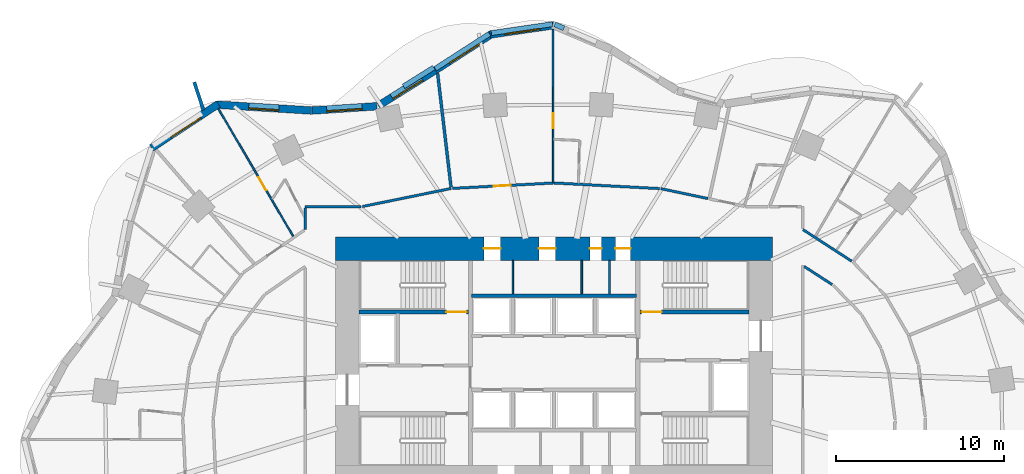
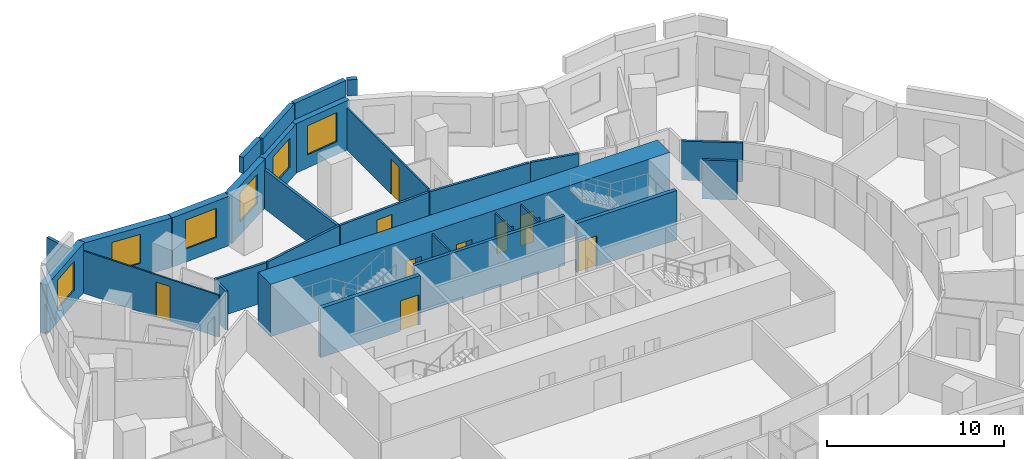
# One storey, part 8 of 11: 29 walls, 9 doors, 6 windows, 15 openings.
"""IFC4 building model written with IfcOpenShell, lengths in metres."""

from ifc_helpers import new_model, si_unit, direction, frame, frame_2d, origin, place, context, subcontext, project, spatial, rectangle, extrude, material, layer, layer_set, type_object, element, fill, save


model = new_model("IFC4")

# Units and contexts
model_context = context("Model", 3, precision=1e-05, world=origin(), true_north=direction((0.0, 1.0)))
body_context = subcontext(model_context, "Body", "Model", "MODEL_VIEW")
ifc_project = project(units=[si_unit("LENGTHUNIT", "METRE"), si_unit("AREAUNIT", "SQUARE_METRE"), si_unit("VOLUMEUNIT", "CUBIC_METRE"), si_unit("PLANEANGLEUNIT", "RADIAN"), si_unit("MASSUNIT", "GRAM", prefix="KILO")], contexts=[model_context])

# Site, building, storey
site_placement = place(None, origin())
site = spatial("IfcSite", under=ifc_project, at=site_placement, CompositionType="ELEMENT")
building_placement = place(site_placement, origin())
building = spatial("IfcBuilding", under=site, at=building_placement, Name="Rubra Terraces Tower", CompositionType="ELEMENT")
storey_placement = place(building_placement, frame((0.0, 0.0, 59.10009765625)))
storey = spatial("IfcBuildingStorey", under=building, at=storey_placement, Name="L12", CompositionType="ELEMENT", Elevation=59.10009765625)

# Wall
ifc_material_1 = material(Name="Twin plasterboard on staggered steel stud, acoustic mineral wool", Category="steel")
ifc_layer_1 = layer(ifc_material_1, 0.175048828125)
ifc_layer_set_1 = layer_set([ifc_layer_1], Name="Twin plasterboard on staggered steel stud, acoustic mineral wool")
wall_type_1 = type_object("IfcWallType", Name="ACOUSTIC PARTY WALL 175", PredefinedType="PARTITIONING", material=ifc_layer_set_1)
wall_1_placement = place(storey_placement, frame((-6.922607421875, 21.71826171875, 0.0), z_axis=(0.0, 0.0, 1.0), x_axis=(0.117163366321, -0.993112655036, 0.0)))
element("IfcWall", 1, at=wall_1_placement, inside=storey, type_object=wall_type_1, Name="PARTITION", PredefinedType="PARTITIONING", context=body_context, shape_type="SweptSolid", body=[
    extrude(rectangle(XDim=6.81591796875, YDim=0.175048828125, at=frame_2d((3.407958984375, 0.0))), origin(), (0.0, 0.0, 1.0), 2.679931640625),
])

# Wall, opening, window
ifc_material_2 = material(Name="Brick masonry red-brown", Category="masonry")
ifc_layer_2 = layer(ifc_material_2, 0.449951171875)
ifc_layer_set_2 = layer_set([ifc_layer_2], Name="Brick masonry red-brown")
wall_type_2 = type_object("IfcWallType", Name="Brick facade wall 450", PredefinedType="SOLIDWALL", material=ifc_layer_set_2)
wall_2_placement = place(storey_placement, frame((0.032470703125, 24.58447265625, 0.0), z_axis=(0.0, 0.0, 1.0), x_axis=(-0.989495330387, -0.144564833698, 0.0)))
wall_2 = element("IfcWall", 2, at=wall_2_placement, inside=storey, type_object=wall_type_2, Name="Facade wall L12 bay 11", PredefinedType="SOLIDWALL", context=body_context, shape_type="SweptSolid", body=[
    extrude(rectangle(XDim=3.880859375, YDim=0.449951171875, at=frame_2d((1.9404296875, 0.0))), origin(), (0.0, 0.0, 1.0), 3.39990234375),
])
opening_1_placement = place(wall_2_placement, frame((0.890380859375, 0.0, 0.89990234375)))
opening_1 = element("IfcOpeningElement", 3, at=opening_1_placement, cuts=wall_2, Name="Opening W1", PredefinedType="OPENING", context=body_context, shape_type="SweptSolid", body=[
    extrude(rectangle(XDim=2.10009765625, YDim=2.0, at=frame_2d((1.050048828125, 1.0))), frame((0.0, 0.23486328125, 0.0), z_axis=(0.0, -1.0, 0.0), x_axis=(1.0, 0.0, 0.0)), (0.0, 0.0, 1.0), 0.469970703125),
])
ifc_material_3 = material(Name="Clear glass in aluminium frame", Category="aluminium")
window_type_1 = type_object("IfcWindowType", Name="Fixed deep-set window 2100 x 2000", PartitioningType="SINGLE_PANEL", PredefinedType="WINDOW", material=ifc_material_3)
window_1_placement = place(opening_1_placement, origin())
window_1 = element("IfcWindow", 4, at=window_1_placement, inside=storey, type_object=window_type_1, Name="Window L12 bay 11", OverallHeight=2.0, OverallWidth=2.10009765625, PartitioningType="SINGLE_PANEL", PredefinedType="WINDOW", context=body_context, shape_type="SweptSolid", body=[
    extrude(rectangle(XDim=2.10009765625, YDim=2.0, at=frame_2d((1.050048828125, 1.0))), frame((0.0, 0.135009765625, 0.0), z_axis=(0.0, -1.0, 0.0), x_axis=(1.0, 0.0, 0.0)), (0.0, 0.0, 1.0), 0.06005859375),
])
fill(opening_1, window_1)

wall_3_placement = place(storey_placement, frame((-3.720703125, 24.055419921875, 0.0), z_axis=(0.0, 0.0, 1.0), x_axis=(-0.840404438766, -0.54195975801, 0.0)))
wall_3 = element("IfcWall", 5, at=wall_3_placement, inside=storey, type_object=wall_type_2, Name="Facade wall L12 bay 12", PredefinedType="SOLIDWALL", context=body_context, shape_type="SweptSolid", body=[
    extrude(rectangle(XDim=3.960205078125, YDim=0.449951171875, at=frame_2d((1.97998046875, 0.0))), origin(), (0.0, 0.0, 1.0), 3.39990234375),
])
opening_2_placement = place(wall_3_placement, frame((0.929931640625, 0.0, 0.89990234375)))
opening_2 = element("IfcOpeningElement", 6, at=opening_2_placement, cuts=wall_3, Name="Opening W1", PredefinedType="OPENING", context=body_context, shape_type="SweptSolid", body=[
    extrude(rectangle(XDim=2.10009765625, YDim=2.0, at=frame_2d((1.050048828125, 1.0))), frame((0.0, 0.23486328125, 0.0), z_axis=(0.0, -1.0, 0.0), x_axis=(1.0, 0.0, 0.0)), (0.0, 0.0, 1.0), 0.469970703125),
])
window_2_placement = place(opening_2_placement, origin())
window_2 = element("IfcWindow", 7, at=window_2_placement, inside=storey, type_object=window_type_1, Name="Window L12 bay 12", OverallHeight=2.0, OverallWidth=2.10009765625, PartitioningType="SINGLE_PANEL", PredefinedType="WINDOW", context=body_context, shape_type="SweptSolid", body=[
    extrude(rectangle(XDim=2.10009765625, YDim=2.0, at=frame_2d((1.050048828125, 1.0))), frame((0.0, 0.135009765625, 0.0), z_axis=(0.0, -1.0, 0.0), x_axis=(1.0, 0.0, 0.0)), (0.0, 0.0, 1.0), 0.06005859375),
])
fill(opening_2, window_2)

wall_4_placement = place(storey_placement, frame((-7.0517578125, 21.907470703125, 0.0), z_axis=(0.0, 0.0, 1.0), x_axis=(-0.848498976054, -0.529197021566, 0.0)))
wall_4 = element("IfcWall", 8, at=wall_4_placement, inside=storey, type_object=wall_type_2, Name="Facade wall L12 bay 13", PredefinedType="SOLIDWALL", context=body_context, shape_type="SweptSolid", body=[
    extrude(rectangle(XDim=3.99658203125, YDim=0.449951171875, at=frame_2d((1.998291015625, 0.0))), origin(), (0.0, 0.0, 1.0), 3.39990234375),
])
opening_3_placement = place(wall_4_placement, frame((0.9482421875, 0.0, 0.89990234375)))
opening_3 = element("IfcOpeningElement", 9, at=opening_3_placement, cuts=wall_4, Name="Opening W1", PredefinedType="OPENING", context=body_context, shape_type="SweptSolid", body=[
    extrude(rectangle(XDim=2.10009765625, YDim=2.0, at=frame_2d((1.050048828125, 1.0))), frame((0.0, 0.23486328125, 0.0), z_axis=(0.0, -1.0, 0.0), x_axis=(1.0, 0.0, 0.0)), (0.0, 0.0, 1.0), 0.469970703125),
])
window_3_placement = place(opening_3_placement, origin())
window_3 = element("IfcWindow", 10, at=window_3_placement, inside=storey, type_object=window_type_1, Name="Window L12 bay 13", OverallHeight=2.0, OverallWidth=2.10009765625, PartitioningType="SINGLE_PANEL", PredefinedType="WINDOW", context=body_context, shape_type="SweptSolid", body=[
    extrude(rectangle(XDim=2.10009765625, YDim=2.0, at=frame_2d((1.050048828125, 1.0))), frame((0.0, 0.135009765625, 0.0), z_axis=(0.0, -1.0, 0.0), x_axis=(1.0, 0.0, 0.0)), (0.0, 0.0, 1.0), 0.06005859375),
])
fill(opening_3, window_3)

wall_5_placement = place(storey_placement, frame((-10.537353515625, 19.76123046875, 0.0), z_axis=(0.0, 0.0, 1.0), x_axis=(-0.997831357874, -0.065822346084, 0.0)))
wall_5 = element("IfcWall", 11, at=wall_5_placement, inside=storey, type_object=wall_type_2, Name="Facade wall L12 bay 14", PredefinedType="SOLIDWALL", context=body_context, shape_type="SweptSolid", body=[
    extrude(rectangle(XDim=3.861083984375, YDim=0.449951171875, at=frame_2d((1.9306640625, 0.0))), origin(), (0.0, 0.0, 1.0), 3.39990234375),
])
opening_4_placement = place(wall_5_placement, frame((0.880615234375, 0.0, 0.89990234375)))
opening_4 = element("IfcOpeningElement", 12, at=opening_4_placement, cuts=wall_5, Name="Opening W1", PredefinedType="OPENING", context=body_context, shape_type="SweptSolid", body=[
    extrude(rectangle(XDim=2.10009765625, YDim=2.0, at=frame_2d((1.050048828125, 1.0))), frame((0.0, 0.23486328125, 0.0), z_axis=(0.0, -1.0, 0.0), x_axis=(1.0, 0.0, 0.0)), (0.0, 0.0, 1.0), 0.469970703125),
])
window_4_placement = place(opening_4_placement, origin())
window_4 = element("IfcWindow", 13, at=window_4_placement, inside=storey, type_object=window_type_1, Name="Window L12 bay 14", OverallHeight=2.0, OverallWidth=2.10009765625, PartitioningType="SINGLE_PANEL", PredefinedType="WINDOW", context=body_context, shape_type="SweptSolid", body=[
    extrude(rectangle(XDim=2.10009765625, YDim=2.0, at=frame_2d((1.050048828125, 1.0))), frame((0.0, 0.135009765625, 0.0), z_axis=(0.0, -1.0, 0.0), x_axis=(1.0, 0.0, 0.0)), (0.0, 0.0, 1.0), 0.06005859375),
])
fill(opening_4, window_4)

wall_6_placement = place(storey_placement, frame((-14.421142578125, 19.506103515625, 0.0), z_axis=(0.0, 0.0, 1.0), x_axis=(-0.998078573447, 0.06196096534, 0.0)))
wall_6 = element("IfcWall", 14, at=wall_6_placement, inside=storey, type_object=wall_type_2, Name="Facade wall L12 bay 15", PredefinedType="SOLIDWALL", context=body_context, shape_type="SweptSolid", body=[
    extrude(rectangle(XDim=5.681884765625, YDim=0.449951171875, at=frame_2d((2.8408203125, 0.0))), origin(), (0.0, 0.0, 1.0), 3.39990234375),
])
opening_5_placement = place(wall_6_placement, frame((1.94091796875, 0.0, 0.89990234375)))
opening_5 = element("IfcOpeningElement", 15, at=opening_5_placement, cuts=wall_6, Name="Opening W6", PredefinedType="OPENING", context=body_context, shape_type="SweptSolid", body=[
    extrude(rectangle(XDim=1.800048828125, YDim=2.0, at=frame_2d((0.89990234375, 1.0))), frame((0.0, 0.23486328125, 0.0), z_axis=(0.0, -1.0, 0.0), x_axis=(1.0, 0.0, 0.0)), (0.0, 0.0, 1.0), 0.469970703125),
])
window_type_2 = type_object("IfcWindowType", Name="Fixed deep-set window at wind fin 1800 x 2000", PartitioningType="SINGLE_PANEL", PredefinedType="WINDOW", material=ifc_material_3)
window_5_placement = place(opening_5_placement, origin())
window_5 = element("IfcWindow", 16, at=window_5_placement, inside=storey, type_object=window_type_2, Name="Window L12 bay 15", OverallHeight=2.0, OverallWidth=1.800048828125, PartitioningType="SINGLE_PANEL", PredefinedType="WINDOW", context=body_context, shape_type="SweptSolid", body=[
    extrude(rectangle(XDim=1.800048828125, YDim=2.0, at=frame_2d((0.89990234375, 1.0))), frame((0.0, 0.135009765625, 0.0), z_axis=(0.0, -1.0, 0.0), x_axis=(1.0, 0.0, 0.0)), (0.0, 0.0, 1.0), 0.06005859375),
])
fill(opening_5, window_5)

wall_7_placement = place(storey_placement, frame((-19.959228515625, 19.89501953125, 0.0), z_axis=(0.0, 0.0, 1.0), x_axis=(-0.835201398752, -0.549944200372, 0.0)))
wall_7 = element("IfcWall", 17, at=wall_7_placement, inside=storey, type_object=wall_type_2, Name="Facade wall L12 bay 16", PredefinedType="SOLIDWALL", context=body_context, shape_type="SweptSolid", body=[
    extrude(rectangle(XDim=4.74755859375, YDim=0.449951171875, at=frame_2d((2.373779296875, 0.0))), origin(), (0.0, 0.0, 1.0), 3.39990234375),
])
opening_6_placement = place(wall_7_placement, frame((1.32373046875, 0.0, 0.89990234375)))
opening_6 = element("IfcOpeningElement", 18, at=opening_6_placement, cuts=wall_7, Name="Opening W1", PredefinedType="OPENING", context=body_context, shape_type="SweptSolid", body=[
    extrude(rectangle(XDim=2.10009765625, YDim=2.0, at=frame_2d((1.050048828125, 1.0))), frame((0.0, 0.23486328125, 0.0), z_axis=(0.0, -1.0, 0.0), x_axis=(1.0, 0.0, 0.0)), (0.0, 0.0, 1.0), 0.469970703125),
])
window_6_placement = place(opening_6_placement, origin())
window_6 = element("IfcWindow", 19, at=window_6_placement, inside=storey, type_object=window_type_1, Name="Window L12 bay 16", OverallHeight=2.0, OverallWidth=2.10009765625, PartitioningType="SINGLE_PANEL", PredefinedType="WINDOW", context=body_context, shape_type="SweptSolid", body=[
    extrude(rectangle(XDim=2.10009765625, YDim=2.0, at=frame_2d((1.050048828125, 1.0))), frame((0.0, 0.135009765625, 0.0), z_axis=(0.0, -1.0, 0.0), x_axis=(1.0, 0.0, 0.0)), (0.0, 0.0, 1.0), 0.06005859375),
])
fill(opening_6, window_6)

# Walls
ifc_layer_3 = layer(ifc_material_2, 0.300048828125)
ifc_layer_set_3 = layer_set([ifc_layer_3], Name="Brick masonry red-brown")
wall_type_3 = type_object("IfcWallType", Name="Brick parapet 300", PredefinedType="PARAPET", material=ifc_layer_set_3)
wall_8_placement = place(storey_placement, frame((0.585693359375, 24.398193359375, 3.599853515625), z_axis=(0.0, 0.0, 1.0), x_axis=(-0.921949320844, 0.387310534062, 0.0)))
element("IfcWall", 20, at=wall_8_placement, inside=storey, type_object=wall_type_3, Name="Parapet L12 bay 10", PredefinedType="PARAPET", context=body_context, shape_type="SweptSolid", body=[
    extrude(rectangle(XDim=0.5849609375, YDim=0.300048828125, at=frame_2d((0.29248046875, 0.0))), origin(), (0.0, 0.0, 1.0), 1.10009765625),
])
wall_9_placement = place(storey_placement, frame((-0.090576171875, 24.64208984375, 3.599853515625), z_axis=(0.0, 0.0, 1.0), x_axis=(-0.989499132051, -0.144538810259, 0.0)))
element("IfcWall", 21, at=wall_9_placement, inside=storey, type_object=wall_type_3, Name="Parapet L12 bay 11", PredefinedType="PARAPET", context=body_context, shape_type="SweptSolid", body=[
    extrude(rectangle(XDim=3.672119140625, YDim=0.300048828125, at=frame_2d((1.8359375, 0.0))), origin(), (0.0, 0.0, 1.0), 1.10009765625),
])
wall_10_placement = place(storey_placement, frame((-3.838623046875, 24.068359375, 3.599853515625), z_axis=(0.0, 0.0, 1.0), x_axis=(-0.84044157539, -0.541902166776, 0.0)))
element("IfcWall", 22, at=wall_10_placement, inside=storey, type_object=wall_type_3, Name="Parapet L12 bay 12", PredefinedType="PARAPET", context=body_context, shape_type="SweptSolid", body=[
    extrude(rectangle(XDim=3.836181640625, YDim=0.300048828125, at=frame_2d((1.91796875, 0.0))), origin(), (0.0, 0.0, 1.0), 1.10009765625),
])
wall_11_placement = place(storey_placement, frame((-7.146240234375, 22.063720703125, 3.599853515625), z_axis=(0.0, 0.0, 1.0), x_axis=(-0.848488829337, -0.529213290168, 0.0)))
element("IfcWall", 23, at=wall_11_placement, inside=storey, type_object=wall_type_3, Name="Parapet L12 bay 13", PredefinedType="PARAPET", context=body_context, shape_type="SweptSolid", body=[
    extrude(rectangle(XDim=2.12353515625, YDim=0.300048828125, at=frame_2d((1.061767578125, 0.0))), origin(), (0.0, 0.0, 1.0), 1.10009765625),
])
ifc_layer_4 = layer(ifc_material_2, 0.199951171875)
ifc_layer_set_4 = layer_set([ifc_layer_4], Name="Brick masonry red-brown")
wall_type_4 = type_object("IfcWallType", Name="Brick wind fin 200", PredefinedType="SOLIDWALL", material=ifc_layer_set_4)
wall_12_placement = place(storey_placement, frame((-20.845947265625, 19.530029296875, 0.0), z_axis=(0.0, 0.0, 1.0), x_axis=(-0.309732726603, 0.950823662974, 0.0)))
element("IfcWall", 24, at=wall_12_placement, inside=storey, type_object=wall_type_4, Name="Wind fin L12 10", PredefinedType="SOLIDWALL", context=body_context, shape_type="SweptSolid", body=[
    extrude(rectangle(XDim=1.749755859375, YDim=0.199951171875, at=frame_2d((0.875, 0.0))), origin(), (0.0, 0.0, 1.0), 3.39990234375),
])

# Wall, openings, doors
ifc_material_4 = material(Name="Concrete C70", Category="concrete")
ifc_layer_5 = layer(ifc_material_4, 1.39990234375)
ifc_layer_set_5 = layer_set([ifc_layer_5], Name="Concrete C70")
wall_type_5 = type_object("IfcWallType", Name="CORE WALL 1400 C70", PredefinedType="SHEAR", material=ifc_layer_set_5)
wall_13_placement = place(storey_placement, frame((-13.0, 11.300048828125, 0.0), z_axis=(0.0, 0.0, 1.0), x_axis=(1.0, 0.0, 0.0)))
wall_13 = element("IfcWall", 25, at=wall_13_placement, inside=storey, type_object=wall_type_5, Name="CORE WALL N L12", PredefinedType="SHEAR", context=body_context, shape_type="SweptSolid", body=[
    extrude(rectangle(XDim=26.0, YDim=1.39990234375, at=frame_2d((13.0, 0.0))), origin(), (0.0, 0.0, 1.0), 3.599853515625),
])
opening_7_placement = place(wall_13_placement, frame((8.824951171875, 0.0, 0.0)))
opening_7 = element("IfcOpeningElement", 26, at=opening_7_placement, cuts=wall_13, Name="Opening L12.C23", PredefinedType="OPENING", context=body_context, shape_type="SweptSolid", body=[
    extrude(rectangle(XDim=1.0, YDim=2.10009765625, at=frame_2d((0.5, 1.050048828125))), frame((0.0, 0.7099609375, 0.0), z_axis=(0.0, -1.0, 0.0), x_axis=(1.0, 0.0, 0.0)), (0.0, 0.0, 1.0), 1.419921875),
])
opening_8_placement = place(wall_13_placement, frame((12.10009765625, 0.0, 0.0)))
opening_8 = element("IfcOpeningElement", 27, at=opening_8_placement, cuts=wall_13, Name="Opening L12.C24", PredefinedType="OPENING", context=body_context, shape_type="SweptSolid", body=[
    extrude(rectangle(XDim=1.0, YDim=2.10009765625, at=frame_2d((0.5, 1.050048828125))), frame((0.0, 0.7099609375, 0.0), z_axis=(0.0, -1.0, 0.0), x_axis=(1.0, 0.0, 0.0)), (0.0, 0.0, 1.0), 1.419921875),
])
opening_9_placement = place(wall_13_placement, frame((15.125, 0.0, 0.0)))
opening_9 = element("IfcOpeningElement", 28, at=opening_9_placement, cuts=wall_13, Name="Opening L12.C25", PredefinedType="OPENING", context=body_context, shape_type="SweptSolid", body=[
    extrude(rectangle(XDim=0.699951171875, YDim=2.10009765625, at=frame_2d((0.35009765625, 1.050048828125))), frame((0.0, 0.7099609375, 0.0), z_axis=(0.0, -1.0, 0.0), x_axis=(1.0, 0.0, 0.0)), (0.0, 0.0, 1.0), 1.419921875),
])
opening_10_placement = place(wall_13_placement, frame((16.64990234375, 0.0, 0.0)))
opening_10 = element("IfcOpeningElement", 29, at=opening_10_placement, cuts=wall_13, Name="Opening L12.C26", PredefinedType="OPENING", context=body_context, shape_type="SweptSolid", body=[
    extrude(rectangle(XDim=0.89990234375, YDim=2.10009765625, at=frame_2d((0.449951171875, 1.050048828125))), frame((0.0, 0.7099609375, 0.0), z_axis=(0.0, -1.0, 0.0), x_axis=(1.0, 0.0, 0.0)), (0.0, 0.0, 1.0), 1.419921875),
])
ifc_material_5 = material(Name="Painted steel", Category="steel")
door_type_1 = type_object("IfcDoorType", Name="Fire door 1000x2100 single", OperationType="NOTDEFINED", PredefinedType="DOOR", material=ifc_material_5)
door_1_placement = place(opening_7_placement, origin())
door_1 = element("IfcDoor", 30, at=door_1_placement, inside=storey, type_object=door_type_1, Name="Guest pantry door", OperationType="SINGLE_SWING_LEFT", OverallHeight=2.10009765625, OverallWidth=1.0, PredefinedType="DOOR", context=body_context, shape_type="SweptSolid", body=[
    extrude(rectangle(XDim=1.0, YDim=2.10009765625, at=frame_2d((0.5, 1.050048828125))), frame((0.0, 0.02490234375, 0.0), z_axis=(0.0, -1.0, 0.0), x_axis=(1.0, 0.0, 0.0)), (0.0, 0.0, 1.0), 0.050048828125),
])
fill(opening_7, door_1)
door_2_placement = place(opening_8_placement, origin())
door_2 = element("IfcDoor", 31, at=door_2_placement, inside=storey, type_object=door_type_1, Name="Linen store door", OperationType="SINGLE_SWING_RIGHT", OverallHeight=2.10009765625, OverallWidth=1.0, PredefinedType="DOOR", context=body_context, shape_type="SweptSolid", body=[
    extrude(rectangle(XDim=1.0, YDim=2.10009765625, at=frame_2d((0.5, 1.050048828125))), frame((0.0, 0.02490234375, 0.0), z_axis=(0.0, -1.0, 0.0), x_axis=(1.0, 0.0, 0.0)), (0.0, 0.0, 1.0), 0.050048828125),
])
fill(opening_8, door_2)
door_type_2 = type_object("IfcDoorType", Name="Fire door 900x2100 single", OperationType="NOTDEFINED", PredefinedType="DOOR", material=ifc_material_5)
door_3_placement = place(opening_10_placement, origin())
door_3 = element("IfcDoor", 32, at=door_3_placement, inside=storey, type_object=door_type_2, Name="Cleaner's store door", OperationType="SINGLE_SWING_RIGHT", OverallHeight=2.10009765625, OverallWidth=0.89990234375, PredefinedType="DOOR", context=body_context, shape_type="SweptSolid", body=[
    extrude(rectangle(XDim=0.89990234375, YDim=2.10009765625, at=frame_2d((0.449951171875, 1.050048828125))), frame((0.0, 0.02490234375, 0.0), z_axis=(0.0, -1.0, 0.0), x_axis=(1.0, 0.0, 0.0)), (0.0, 0.0, 1.0), 0.050048828125),
])
fill(opening_10, door_3)
door_type_3 = type_object("IfcDoorType", Name="Riser access door 700x2100 single", OperationType="NOTDEFINED", PredefinedType="DOOR", material=ifc_material_5)
door_4_placement = place(opening_9_placement, origin())
door_4 = element("IfcDoor", 33, at=door_4_placement, inside=storey, type_object=door_type_3, Name="Electrical riser room door", OperationType="SINGLE_SWING_LEFT", OverallHeight=2.10009765625, OverallWidth=0.699951171875, PredefinedType="DOOR", context=body_context, shape_type="SweptSolid", body=[
    extrude(rectangle(XDim=0.699951171875, YDim=2.10009765625, at=frame_2d((0.35009765625, 1.050048828125))), frame((0.0, 0.02490234375, 0.0), z_axis=(0.0, -1.0, 0.0), x_axis=(1.0, 0.0, 0.0)), (0.0, 0.0, 1.0), 0.050048828125),
])
fill(opening_9, door_4)

# Walls
ifc_material_6 = material(Name="Plasterboard on steel stud, mineral wool infill", Category="steel")
ifc_layer_6 = layer(ifc_material_6, 0.14990234375)
ifc_layer_set_6 = layer_set([ifc_layer_6], Name="Plasterboard on steel stud, mineral wool infill")
wall_type_6 = type_object("IfcWallType", Name="CORRIDOR PARTITION 150", PredefinedType="PARTITIONING", material=ifc_layer_set_6)
wall_14_placement = place(storey_placement, frame((-6.115234375, 14.87451171875, 0.0), z_axis=(0.0, 0.0, 1.0), x_axis=(-0.979873098531, -0.199621418629, 0.0)))
element("IfcWall", 34, at=wall_14_placement, inside=storey, type_object=wall_type_6, Name="PARTITION", PredefinedType="PARTITIONING", context=body_context, shape_type="SweptSolid", body=[
    extrude(rectangle(XDim=5.382568359375, YDim=0.14990234375, at=frame_2d((2.69140625, 0.0))), origin(), (0.0, 0.0, 1.0), 2.679931640625),
])
wall_15_placement = place(storey_placement, frame((-11.46435546875, 13.800048828125, 0.0), z_axis=(0.0, 0.0, 1.0), x_axis=(-1.0, 0.0, 0.0)))
element("IfcWall", 35, at=wall_15_placement, inside=storey, type_object=wall_type_6, Name="PARTITION", PredefinedType="PARTITIONING", context=body_context, shape_type="SweptSolid", body=[
    extrude(rectangle(XDim=3.335693359375, YDim=0.14990234375, at=frame_2d((1.66796875, 0.0))), origin(), (0.0, 0.0, 1.0), 2.679931640625),
])
wall_16_placement = place(storey_placement, frame((-14.800048828125, 13.72509765625, 0.0), z_axis=(0.0, 0.0, 1.0), x_axis=(-0.000188040613, -0.99999998232, 0.0)))
element("IfcWall", 36, at=wall_16_placement, inside=storey, type_object=wall_type_6, Name="PARTITION", PredefinedType="PARTITIONING", context=body_context, shape_type="SweptSolid", body=[
    extrude(rectangle(XDim=1.29833984375, YDim=0.14990234375, at=frame_2d((0.649169921875, 0.0))), origin(), (0.0, 0.0, 1.0), 2.679931640625),
])
wall_17_placement = place(storey_placement, frame((17.69921875, 10.548095703125, 0.0), z_axis=(0.0, 0.0, 1.0), x_axis=(-0.839188825453, 0.54384015596, 0.0)))
element("IfcWall", 37, at=wall_17_placement, inside=storey, type_object=wall_type_6, Name="PARTITION", PredefinedType="PARTITIONING", context=body_context, shape_type="SweptSolid", body=[
    extrude(rectangle(XDim=3.454345703125, YDim=0.14990234375, at=frame_2d((1.72705078125, 0.0))), origin(), (0.0, 0.0, 1.0), 2.679931640625),
])
wall_18_placement = place(storey_placement, frame((9.151611328125, 14.272216796875, 0.0), z_axis=(0.0, 0.0, 1.0), x_axis=(-0.978472647326, 0.206376545266, 0.0)))
element("IfcWall", 38, at=wall_18_placement, inside=storey, type_object=wall_type_6, Name="PARTITION", PredefinedType="PARTITIONING", context=body_context, shape_type="SweptSolid", body=[
    extrude(rectangle(XDim=2.85693359375, YDim=0.14990234375, at=frame_2d((1.428466796875, 0.0))), origin(), (0.0, 0.0, 1.0), 2.679931640625),
])
wall_19_placement = place(storey_placement, frame((6.281494140625, 14.86572265625, 0.0), z_axis=(0.0, 0.0, 1.0), x_axis=(-0.998587429539, 0.053133281163, 0.0)))
element("IfcWall", 39, at=wall_19_placement, inside=storey, type_object=wall_type_6, Name="PARTITION", PredefinedType="PARTITIONING", context=body_context, shape_type="SweptSolid", body=[
    extrude(rectangle(XDim=6.290283203125, YDim=0.14990234375, at=frame_2d((3.14501953125, 0.0))), origin(), (0.0, 0.0, 1.0), 2.679931640625),
])

# Wall, opening, door
wall_20_placement = place(storey_placement, frame((-0.074951171875, 15.19580078125, 0.0), z_axis=(0.0, 0.0, 1.0), x_axis=(-0.998589803119, -0.05308865328, 0.0)))
wall_20 = element("IfcWall", 40, at=wall_20_placement, inside=storey, type_object=wall_type_6, Name="PARTITION", PredefinedType="PARTITIONING", context=body_context, shape_type="SweptSolid", body=[
    extrude(rectangle(XDim=5.973876953125, YDim=0.14990234375, at=frame_2d((2.98681640625, 0.0))), origin(), (0.0, 0.0, 1.0), 2.679931640625),
])
opening_11_placement = place(wall_20_placement, frame((2.513916015625, 0.0, 0.0)))
opening_11 = element("IfcOpeningElement", 41, at=opening_11_placement, cuts=wall_20, Name="Opening 12-134", PredefinedType="OPENING", context=body_context, shape_type="SweptSolid", body=[
    extrude(rectangle(XDim=1.0, YDim=2.10009765625, at=frame_2d((0.5, 1.050048828125))), frame((0.0, 0.0849609375, 0.0), z_axis=(0.0, -1.0, 0.0), x_axis=(1.0, 0.0, 0.0)), (0.0, 0.0, 1.0), 0.169921875),
])
ifc_material_7 = material(Name="Painted timber door leaf", Category="wood")
door_type_4 = type_object("IfcDoorType", Name="ROOM DOOR 1000 X 2100", OperationType="SINGLE_SWING_LEFT", PredefinedType="DOOR", material=ifc_material_7)
door_5_placement = place(opening_11_placement, origin())
door_5 = element("IfcDoor", 42, at=door_5_placement, inside=storey, type_object=door_type_4, Name="DOOR 12-134", OperationType="SINGLE_SWING_RIGHT", OverallHeight=2.10009765625, OverallWidth=1.0, PredefinedType="DOOR", context=body_context, shape_type="SweptSolid", body=[
    extrude(rectangle(XDim=1.0, YDim=2.10009765625, at=frame_2d((0.5, 1.050048828125))), frame((0.0, 0.02490234375, 0.0), z_axis=(0.0, -1.0, 0.0), x_axis=(1.0, 0.0, 0.0)), (0.0, 0.0, 1.0), 0.050048828125),
])
fill(opening_11, door_5)

# Walls
wall_21_placement = place(storey_placement, frame((14.863037109375, 10.242431640625, 0.0), z_axis=(0.0, 0.0, 1.0), x_axis=(0.839530811724, -0.543312079901, 0.0)))
element("IfcWall", 43, at=wall_21_placement, inside=storey, type_object=wall_type_6, Name="PARTITION", PredefinedType="PARTITIONING", context=body_context, shape_type="SweptSolid", body=[
    extrude(rectangle(XDim=1.997802734375, YDim=0.14990234375, at=frame_2d((0.9990234375, 0.0))), origin(), (0.0, 0.0, 1.0), 2.679931640625),
])
ifc_material_8 = material(Name="Concrete C30", Category="concrete")
ifc_layer_7 = layer(ifc_material_8, 0.199951171875)
ifc_layer_set_7 = layer_set([ifc_layer_7], Name="Concrete C30")
wall_type_7 = type_object("IfcWallType", Name="Core wall 200 concrete", PredefinedType="SOLIDWALL", material=ifc_layer_set_7)
wall_22_placement = place(storey_placement, frame((-4.89990234375, 8.5, 0.0), z_axis=(0.0, 0.0, 1.0), x_axis=(1.0, 0.0, 0.0)))
element("IfcWall", 44, at=wall_22_placement, inside=storey, type_object=wall_type_7, Name="LIFT SHAFT WALL L12", PredefinedType="SOLIDWALL", context=body_context, shape_type="SweptSolid", body=[
    extrude(rectangle(XDim=9.7998046875, YDim=0.199951171875, at=frame_2d((4.89990234375, 0.0))), origin(), (0.0, 0.0, 1.0), 3.39990234375),
])

# Wall, opening, door
ifc_material_9 = material(Name="Plasterboard on steel stud", Category="steel")
ifc_layer_8 = layer(ifc_material_9, 0.10009765625)
ifc_layer_set_8 = layer_set([ifc_layer_8], Name="Plasterboard on steel stud")
wall_type_8 = type_object("IfcWallType", Name="ROOM PARTITION 100", PredefinedType="PARTITIONING", material=ifc_layer_set_8)
wall_23_placement = place(storey_placement, frame((-19.95849609375, 19.620361328125, 0.0), z_axis=(0.0, 0.0, 1.0), x_axis=(0.505625538269, -0.862753044069, 0.0)))
wall_23 = element("IfcWall", 45, at=wall_23_placement, inside=storey, type_object=wall_type_8, Name="PARTITION", PredefinedType="PARTITIONING", context=body_context, shape_type="SweptSolid", body=[
    extrude(rectangle(XDim=8.80224609375, YDim=0.10009765625, at=frame_2d((4.401123046875, 0.0))), origin(), (0.0, 0.0, 1.0), 2.89794921875),
])
opening_12_placement = place(wall_23_placement, frame((4.72705078125, 0.0, 0.0)))
opening_12 = element("IfcOpeningElement", 46, at=opening_12_placement, cuts=wall_23, Name="Opening 12-102", PredefinedType="OPENING", context=body_context, shape_type="SweptSolid", body=[
    extrude(rectangle(XDim=0.89990234375, YDim=2.39990234375, at=frame_2d((0.449951171875, 1.199951171875))), frame((0.0, 0.06005859375, 0.0), z_axis=(0.0, -1.0, 0.0), x_axis=(1.0, 0.0, 0.0)), (0.0, 0.0, 1.0), 0.1201171875),
])
ifc_material_10 = material(Name="Veneered timber door leaf, fire-rated", Category="wood")
door_type_5 = type_object("IfcDoorType", Name="SUITE ENTRANCE DOOR 900 X 2400", OperationType="SINGLE_SWING_LEFT", PredefinedType="DOOR", material=ifc_material_10)
door_6_placement = place(opening_12_placement, origin())
door_6 = element("IfcDoor", 47, at=door_6_placement, inside=storey, type_object=door_type_5, Name="DOOR 12-102", OperationType="SINGLE_SWING_LEFT", OverallHeight=2.39990234375, OverallWidth=0.89990234375, PredefinedType="DOOR", context=body_context, shape_type="SweptSolid", body=[
    extrude(rectangle(XDim=0.89990234375, YDim=2.39990234375, at=frame_2d((0.449951171875, 1.199951171875))), frame((0.0, 0.02490234375, 0.0), z_axis=(0.0, -1.0, 0.0), x_axis=(1.0, 0.0, 0.0)), (0.0, 0.0, 1.0), 0.050048828125),
])
fill(opening_12, door_6)

wall_24_placement = place(storey_placement, frame((-0.058837890625, 24.33935546875, 0.0), z_axis=(0.0, 0.0, 1.0), x_axis=(0.000507383704, -0.999999871281, 0.0)))
wall_24 = element("IfcWall", 48, at=wall_24_placement, inside=storey, type_object=wall_type_8, Name="PARTITION", PredefinedType="PARTITIONING", context=body_context, shape_type="SweptSolid", body=[
    extrude(rectangle(XDim=9.142333984375, YDim=0.10009765625, at=frame_2d((4.5712890625, 0.0))), origin(), (0.0, 0.0, 1.0), 2.89794921875),
])
opening_13_placement = place(wall_24_placement, frame((4.991943359375, 0.0, 0.0)))
opening_13 = element("IfcOpeningElement", 49, at=opening_13_placement, cuts=wall_24, Name="Opening 12-133", PredefinedType="OPENING", context=body_context, shape_type="SweptSolid", body=[
    extrude(rectangle(XDim=0.89990234375, YDim=2.39990234375, at=frame_2d((0.449951171875, 1.199951171875))), frame((0.0, 0.06005859375, 0.0), z_axis=(0.0, -1.0, 0.0), x_axis=(1.0, 0.0, 0.0)), (0.0, 0.0, 1.0), 0.1201171875),
])
door_7_placement = place(opening_13_placement, origin())
door_7 = element("IfcDoor", 50, at=door_7_placement, inside=storey, type_object=door_type_5, Name="DOOR 12-133", OperationType="SINGLE_SWING_LEFT", OverallHeight=2.39990234375, OverallWidth=0.89990234375, PredefinedType="DOOR", context=body_context, shape_type="SweptSolid", body=[
    extrude(rectangle(XDim=0.89990234375, YDim=2.39990234375, at=frame_2d((0.449951171875, 1.199951171875))), frame((0.0, 0.02490234375, 0.0), z_axis=(0.0, -1.0, 0.0), x_axis=(1.0, 0.0, 0.0)), (0.0, 0.0, 1.0), 0.050048828125),
])
fill(opening_13, door_7)

# Walls
ifc_material_11 = material(Name="Blockwork", Category="masonry")
ifc_layer_9 = layer(ifc_material_11, 0.10009765625)
ifc_layer_set_9 = layer_set([ifc_layer_9], Name="Blockwork")
wall_type_9 = type_object("IfcWallType", Name="Service partition 100 blockwork", PredefinedType="PARTITIONING", material=ifc_layer_set_9)
for number, where, z_axis, x_axis, name in (
    (51, (-2.449951171875, 8.60009765625, 0.0), (0.0, 0.0, 1.0), (0.0, 1.0, 0.0), "SERVICE ROOM PARTITION L12"),
    (52, (1.64990234375, 8.60009765625, 0.0), (0.0, 0.0, 1.0), (0.0, 1.0, 0.0), "SERVICE ROOM PARTITION L12"),
    (53, (3.300048828125, 8.60009765625, 0.0), (0.0, 0.0, 1.0), (0.0, 1.0, 0.0), "SERVICE ROOM PARTITION L12"),
):
    element("IfcWall", number, at=place(storey_placement, frame(where, z_axis=z_axis, x_axis=x_axis)), inside=storey, type_object=wall_type_9, Name=name, PredefinedType="PARTITIONING", context=body_context, shape_type="SweptSolid", body=[
        extrude(rectangle(XDim=2.0, YDim=0.10009765625, at=frame_2d((1.0, 0.0))), origin(), (0.0, 0.0, 1.0), 3.39990234375),
    ])

# Wall, opening, door
ifc_material_12 = material(Name="Concrete C40", Category="concrete")
ifc_layer_10 = layer(ifc_material_12, 0.25)
ifc_layer_set_10 = layer_set([ifc_layer_10], Name="Concrete C40")
wall_type_10 = type_object("IfcWallType", Name="Stair enclosure wall 250 concrete", PredefinedType="SOLIDWALL", material=ifc_layer_set_10)
wall_25_placement = place(storey_placement, frame((11.60009765625, 7.52490234375, 0.0), z_axis=(0.0, 0.0, 1.0), x_axis=(-1.0, 0.0, 0.0)))
wall_25 = element("IfcWall", 54, at=wall_25_placement, inside=storey, type_object=wall_type_10, Name="STAIR WALL L12", PredefinedType="SOLIDWALL", context=body_context, shape_type="SweptSolid", body=[
    extrude(rectangle(XDim=6.5, YDim=0.25, at=frame_2d((3.25, 0.0))), origin(), (0.0, 0.0, 1.0), 3.39990234375),
])
opening_14_placement = place(wall_25_placement, frame((5.199951171875, 0.0, 0.0)))
opening_14 = element("IfcOpeningElement", 55, at=opening_14_placement, cuts=wall_25, Name="Opening L12.C08", PredefinedType="OPENING", context=body_context, shape_type="SweptSolid", body=[
    extrude(rectangle(XDim=1.199951171875, YDim=2.10009765625, at=frame_2d((0.60009765625, 1.050048828125))), frame((0.0, 0.135009765625, 0.0), z_axis=(0.0, -1.0, 0.0), x_axis=(1.0, 0.0, 0.0)), (0.0, 0.0, 1.0), 0.27001953125),
])
door_type_6 = type_object("IfcDoorType", Name="Fire door 1200x2100 single", OperationType="NOTDEFINED", PredefinedType="DOOR", material=ifc_material_5)
door_8_placement = place(opening_14_placement, origin())
door_8 = element("IfcDoor", 56, at=door_8_placement, inside=storey, type_object=door_type_6, Name="Stair door S3", OperationType="SINGLE_SWING_RIGHT", OverallHeight=2.10009765625, OverallWidth=1.199951171875, PredefinedType="DOOR", context=body_context, shape_type="SweptSolid", body=[
    extrude(rectangle(XDim=1.199951171875, YDim=2.10009765625, at=frame_2d((0.60009765625, 1.050048828125))), frame((0.0, 0.02490234375, 0.0), z_axis=(0.0, -1.0, 0.0), x_axis=(1.0, 0.0, 0.0)), (0.0, 0.0, 1.0), 0.050048828125),
])
fill(opening_14, door_8)

wall_26_placement = place(storey_placement, frame((-11.60009765625, 7.52490234375, 0.0), z_axis=(0.0, 0.0, 1.0), x_axis=(1.0, 0.0, 0.0)))
wall_26 = element("IfcWall", 57, at=wall_26_placement, inside=storey, type_object=wall_type_10, Name="STAIR WALL L12", PredefinedType="SOLIDWALL", context=body_context, shape_type="SweptSolid", body=[
    extrude(rectangle(XDim=6.5, YDim=0.25, at=frame_2d((3.25, 0.0))), origin(), (0.0, 0.0, 1.0), 3.39990234375),
])
opening_15_placement = place(wall_26_placement, frame((5.199951171875, 0.0, 0.0)))
opening_15 = element("IfcOpeningElement", 58, at=opening_15_placement, cuts=wall_26, Name="Opening L12.C09", PredefinedType="OPENING", context=body_context, shape_type="SweptSolid", body=[
    extrude(rectangle(XDim=1.199951171875, YDim=2.10009765625, at=frame_2d((0.60009765625, 1.050048828125))), frame((0.0, 0.135009765625, 0.0), z_axis=(0.0, -1.0, 0.0), x_axis=(1.0, 0.0, 0.0)), (0.0, 0.0, 1.0), 0.27001953125),
])
door_9_placement = place(opening_15_placement, origin())
door_9 = element("IfcDoor", 59, at=door_9_placement, inside=storey, type_object=door_type_6, Name="Stair door S2", OperationType="SINGLE_SWING_LEFT", OverallHeight=2.10009765625, OverallWidth=1.199951171875, PredefinedType="DOOR", context=body_context, shape_type="SweptSolid", body=[
    extrude(rectangle(XDim=1.199951171875, YDim=2.10009765625, at=frame_2d((0.60009765625, 1.050048828125))), frame((0.0, 0.02490234375, 0.0), z_axis=(0.0, -1.0, 0.0), x_axis=(1.0, 0.0, 0.0)), (0.0, 0.0, 1.0), 0.050048828125),
])
fill(opening_15, door_9)

save(model, "model.ifc")
